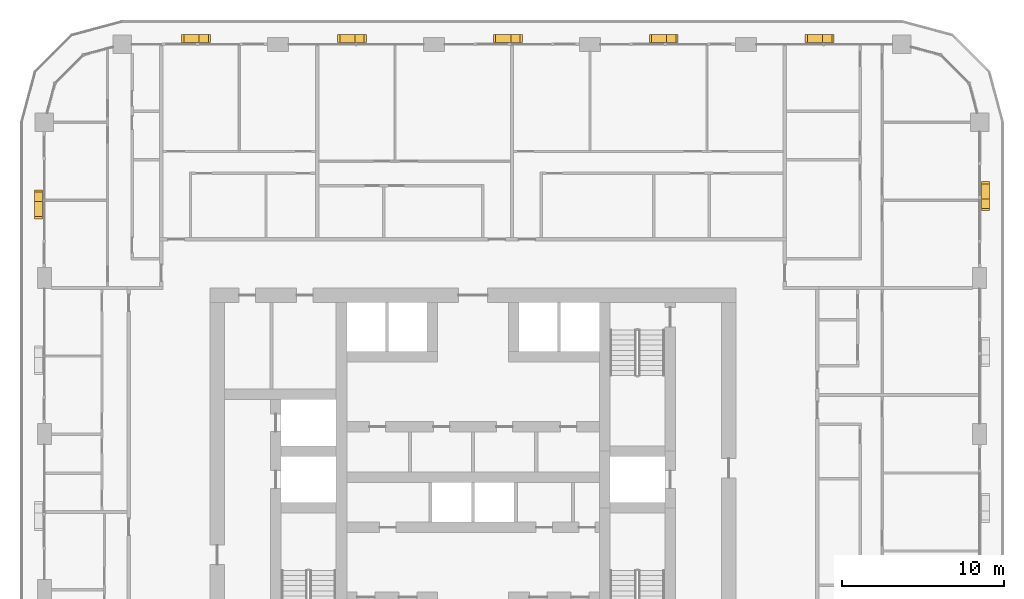
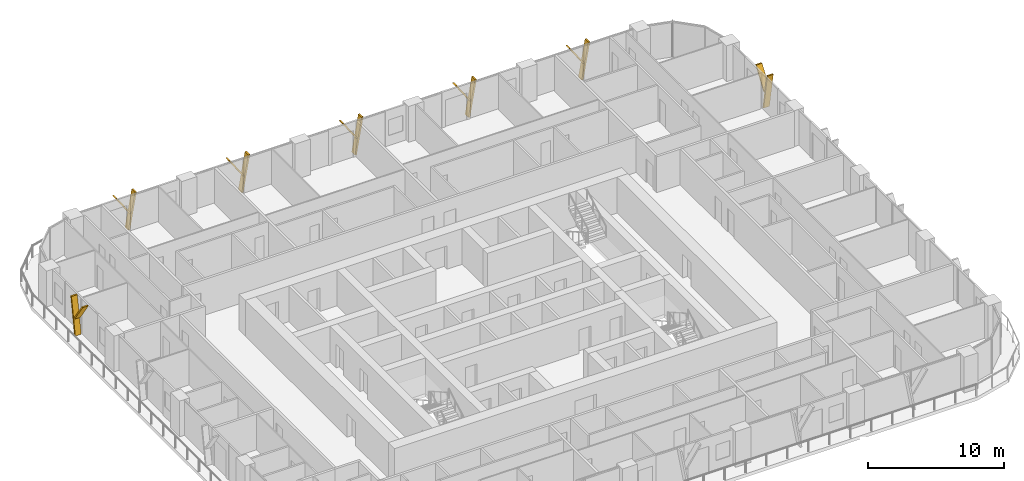
# One storey, part 22 of 22: 14 shading devices.
"""IFC4 building model written with IfcOpenShell, lengths in metres."""

from ifc_helpers import new_model, si_unit, direction, frame, origin, place, context, subcontext, project, spatial, polyline, outline, extrude, material, type_object, element, save


model = new_model("IFC4")

# Units and contexts
model_context = context("Model", 3, precision=1e-05, world=origin(), true_north=direction((0.0, 1.0)))
body_context = subcontext(model_context, "Body", "Model", "MODEL_VIEW")
ifc_project = project(units=[si_unit("LENGTHUNIT", "METRE"), si_unit("AREAUNIT", "SQUARE_METRE"), si_unit("VOLUMEUNIT", "CUBIC_METRE"), si_unit("PLANEANGLEUNIT", "RADIAN"), si_unit("MASSUNIT", "GRAM", prefix="KILO")], contexts=[model_context])

# Site, building, storey
site_placement = place(None, origin())
site = spatial("IfcSite", under=ifc_project, at=site_placement, CompositionType="ELEMENT")
building_placement = place(site_placement, origin())
building = spatial("IfcBuilding", under=site, at=building_placement, Name="Madar Terraces", CompositionType="ELEMENT")
storey_placement = place(building_placement, frame((0.0, 0.0, 103.199951171875)))
storey = spatial("IfcBuildingStorey", under=building, at=storey_placement, Name="L26", CompositionType="ELEMENT", Elevation=103.199951171875)

# Shading devices
ifc_material = material(Name="Aluminium, black anodised", Category="aluminium")
shading_device_type = type_object("IfcShadingDeviceType", Name="Facade fin blade 140 x 500", PredefinedType="USERDEFINED", material=ifc_material)
shading_device_1_placement = place(storey_placement, frame((62.75, 43.1298828125, 0.0), z_axis=(0.0, 0.0, 1.0), x_axis=(0.0, 1.0, 0.0)))
element("IfcShadingDevice", 1, at=shading_device_1_placement, inside=storey, type_object=shading_device_type, Name="FIN L26 E4", ObjectType="FIN", PredefinedType="USERDEFINED", context=body_context, shape_type="SweptSolid", body=[
    extrude(outline(polyline([(0.0, 0.0), (0.14013671875, 0.0), (-0.42431640625, 3.199951171875), (-0.564208984375, 3.199951171875), (0.0, 0.0)])), frame((0.0, 0.25, 0.0), z_axis=(0.0, -1.0, 0.0), x_axis=(1.0, 0.0, 0.0)), (0.0, 0.0, 1.0), 0.5),
])
shading_device_2_placement = place(storey_placement, frame((62.75, 43.01611328125, 1.43994140625), z_axis=(0.0, 0.0, 1.0), x_axis=(0.0, 1.0, 0.0)))
element("IfcShadingDevice", 2, at=shading_device_2_placement, inside=storey, type_object=shading_device_type, Name="FIN L26 E4 branch", ObjectType="FIN", PredefinedType="USERDEFINED", context=body_context, shape_type="SweptSolid", body=[
    extrude(outline(polyline([(0.0, 0.0), (0.139892578125, 0.0), (1.32958984375, 1.760009765625), (1.189697265625, 1.760009765625), (0.0, 0.0)])), frame((0.0, 0.25, 0.0), z_axis=(0.0, -1.0, 0.0), x_axis=(1.0, 0.0, 0.0)), (0.0, 0.0, 1.0), 0.5),
])
shading_device_3_placement = place(storey_placement, frame((52.8701171875, 53.14990234375, 0.0), z_axis=(0.0, 0.0, 1.0), x_axis=(-1.0, 0.0, 0.0)))
element("IfcShadingDevice", 3, at=shading_device_3_placement, inside=storey, type_object=shading_device_type, Name="FIN L26 N1", ObjectType="FIN", PredefinedType="USERDEFINED", context=body_context, shape_type="SweptSolid", body=[
    extrude(outline(polyline([(0.0, 0.0), (0.14013671875, 0.0), (-0.42431640625, 3.199951171875), (-0.564208984375, 3.199951171875), (0.0, 0.0)])), frame((0.0, 0.25, 0.0), z_axis=(0.0, -1.0, 0.0), x_axis=(1.0, 0.0, 0.0)), (0.0, 0.0, 1.0), 0.5),
])
shading_device_4_placement = place(storey_placement, frame((52.98388671875, 53.14990234375, 1.43994140625), z_axis=(0.0, 0.0, 1.0), x_axis=(-1.0, 0.0, 0.0)))
element("IfcShadingDevice", 4, at=shading_device_4_placement, inside=storey, type_object=shading_device_type, Name="FIN L26 N1 branch", ObjectType="FIN", PredefinedType="USERDEFINED", context=body_context, shape_type="SweptSolid", body=[
    extrude(outline(polyline([(0.0, 0.0), (0.139892578125, 0.0), (1.32958984375, 1.760009765625), (1.189697265625, 1.760009765625), (0.0, 0.0)])), frame((0.0, 0.25, 0.0), z_axis=(0.0, -1.0, 0.0), x_axis=(1.0, 0.0, 0.0)), (0.0, 0.0, 1.0), 0.5),
])
shading_device_5_placement = place(storey_placement, frame((43.27001953125, 53.14990234375, 0.0), z_axis=(0.0, 0.0, 1.0), x_axis=(-1.0, 0.0, 0.0)))
element("IfcShadingDevice", 5, at=shading_device_5_placement, inside=storey, type_object=shading_device_type, Name="FIN L26 N2", ObjectType="FIN", PredefinedType="USERDEFINED", context=body_context, shape_type="SweptSolid", body=[
    extrude(outline(polyline([(0.0, 0.0), (0.14013671875, 0.0), (-0.42431640625, 3.199951171875), (-0.564208984375, 3.199951171875), (0.0, 0.0)])), frame((0.0, 0.25, 0.0), z_axis=(0.0, -1.0, 0.0), x_axis=(1.0, 0.0, 0.0)), (0.0, 0.0, 1.0), 0.5),
])
shading_device_6_placement = place(storey_placement, frame((43.3837890625, 53.14990234375, 1.43994140625), z_axis=(0.0, 0.0, 1.0), x_axis=(-1.0, 0.0, 0.0)))
element("IfcShadingDevice", 6, at=shading_device_6_placement, inside=storey, type_object=shading_device_type, Name="FIN L26 N2 branch", ObjectType="FIN", PredefinedType="USERDEFINED", context=body_context, shape_type="SweptSolid", body=[
    extrude(outline(polyline([(0.0, 0.0), (0.139892578125, 0.0), (1.32958984375, 1.760009765625), (1.189697265625, 1.760009765625), (0.0, 0.0)])), frame((0.0, 0.25, 0.0), z_axis=(0.0, -1.0, 0.0), x_axis=(1.0, 0.0, 0.0)), (0.0, 0.0, 1.0), 0.5),
])
shading_device_7_placement = place(storey_placement, frame((33.669921875, 53.14990234375, 0.0), z_axis=(0.0, 0.0, 1.0), x_axis=(-1.0, 0.0, 0.0)))
element("IfcShadingDevice", 7, at=shading_device_7_placement, inside=storey, type_object=shading_device_type, Name="FIN L26 N3", ObjectType="FIN", PredefinedType="USERDEFINED", context=body_context, shape_type="SweptSolid", body=[
    extrude(outline(polyline([(0.0, 0.0), (0.139892578125, 0.0), (-0.42431640625, 3.199951171875), (-0.564208984375, 3.199951171875), (0.0, 0.0)])), frame((0.0, 0.25, 0.0), z_axis=(0.0, -1.0, 0.0), x_axis=(1.0, 0.0, 0.0)), (0.0, 0.0, 1.0), 0.5),
])
shading_device_8_placement = place(storey_placement, frame((33.783935546875, 53.14990234375, 1.43994140625), z_axis=(0.0, 0.0, 1.0), x_axis=(-1.0, 0.0, 0.0)))
element("IfcShadingDevice", 8, at=shading_device_8_placement, inside=storey, type_object=shading_device_type, Name="FIN L26 N3 branch", ObjectType="FIN", PredefinedType="USERDEFINED", context=body_context, shape_type="SweptSolid", body=[
    extrude(outline(polyline([(0.0, 0.0), (0.14013671875, 0.0), (1.32958984375, 1.760009765625), (1.189697265625, 1.760009765625), (0.0, 0.0)])), frame((0.0, 0.25, 0.0), z_axis=(0.0, -1.0, 0.0), x_axis=(1.0, 0.0, 0.0)), (0.0, 0.0, 1.0), 0.5),
])
shading_device_9_placement = place(storey_placement, frame((24.070068359375, 53.14990234375, 0.0), z_axis=(0.0, 0.0, 1.0), x_axis=(-1.0, 0.0, 0.0)))
element("IfcShadingDevice", 9, at=shading_device_9_placement, inside=storey, type_object=shading_device_type, Name="FIN L26 N4", ObjectType="FIN", PredefinedType="USERDEFINED", context=body_context, shape_type="SweptSolid", body=[
    extrude(outline(polyline([(0.0, 0.0), (0.14013671875, 0.0), (-0.42431640625, 3.199951171875), (-0.564208984375, 3.199951171875), (0.0, 0.0)])), frame((0.0, 0.25, 0.0), z_axis=(0.0, -1.0, 0.0), x_axis=(1.0, 0.0, 0.0)), (0.0, 0.0, 1.0), 0.5),
])
shading_device_10_placement = place(storey_placement, frame((24.183837890625, 53.14990234375, 1.43994140625), z_axis=(0.0, 0.0, 1.0), x_axis=(-1.0, 0.0, 0.0)))
element("IfcShadingDevice", 10, at=shading_device_10_placement, inside=storey, type_object=shading_device_type, Name="FIN L26 N4 branch", ObjectType="FIN", PredefinedType="USERDEFINED", context=body_context, shape_type="SweptSolid", body=[
    extrude(outline(polyline([(0.0, 0.0), (0.139892578125, 0.0), (1.32958984375, 1.760009765625), (1.189697265625, 1.760009765625), (0.0, 0.0)])), frame((0.0, 0.25, 0.0), z_axis=(0.0, -1.0, 0.0), x_axis=(1.0, 0.0, 0.0)), (0.0, 0.0, 1.0), 0.5),
])
shading_device_11_placement = place(storey_placement, frame((14.469970703125, 53.14990234375, 0.0), z_axis=(0.0, 0.0, 1.0), x_axis=(-1.0, 0.0, 0.0)))
element("IfcShadingDevice", 11, at=shading_device_11_placement, inside=storey, type_object=shading_device_type, Name="FIN L26 N5", ObjectType="FIN", PredefinedType="USERDEFINED", context=body_context, shape_type="SweptSolid", body=[
    extrude(outline(polyline([(0.0, 0.0), (0.139892578125, 0.0), (-0.42431640625, 3.199951171875), (-0.564208984375, 3.199951171875), (0.0, 0.0)])), frame((0.0, 0.25, 0.0), z_axis=(0.0, -1.0, 0.0), x_axis=(1.0, 0.0, 0.0)), (0.0, 0.0, 1.0), 0.5),
])
shading_device_12_placement = place(storey_placement, frame((14.583984375, 53.14990234375, 1.43994140625), z_axis=(0.0, 0.0, 1.0), x_axis=(-1.0, 0.0, 0.0)))
element("IfcShadingDevice", 12, at=shading_device_12_placement, inside=storey, type_object=shading_device_type, Name="FIN L26 N5 branch", ObjectType="FIN", PredefinedType="USERDEFINED", context=body_context, shape_type="SweptSolid", body=[
    extrude(outline(polyline([(0.0, 0.0), (0.14013671875, 0.0), (1.32958984375, 1.760009765625), (1.189697265625, 1.760009765625), (0.0, 0.0)])), frame((0.0, 0.25, 0.0), z_axis=(0.0, -1.0, 0.0), x_axis=(1.0, 0.0, 0.0)), (0.0, 0.0, 1.0), 0.5),
])
shading_device_13_placement = place(storey_placement, frame((4.449951171875, 43.27001953125, 0.0), z_axis=(0.0, 0.0, 1.0), x_axis=(0.0, -1.0, 0.0)))
element("IfcShadingDevice", 13, at=shading_device_13_placement, inside=storey, type_object=shading_device_type, Name="FIN L26 W1", ObjectType="FIN", PredefinedType="USERDEFINED", context=body_context, shape_type="SweptSolid", body=[
    extrude(outline(polyline([(0.0, 0.0), (0.14013671875, 0.0), (-0.42431640625, 3.199951171875), (-0.564208984375, 3.199951171875), (0.0, 0.0)])), frame((0.0, 0.25, 0.0), z_axis=(0.0, -1.0, 0.0), x_axis=(1.0, 0.0, 0.0)), (0.0, 0.0, 1.0), 0.5),
])
shading_device_14_placement = place(storey_placement, frame((4.449951171875, 43.3837890625, 1.43994140625), z_axis=(0.0, 0.0, 1.0), x_axis=(0.0, -1.0, 0.0)))
element("IfcShadingDevice", 14, at=shading_device_14_placement, inside=storey, type_object=shading_device_type, Name="FIN L26 W1 branch", ObjectType="FIN", PredefinedType="USERDEFINED", context=body_context, shape_type="SweptSolid", body=[
    extrude(outline(polyline([(0.0, 0.0), (0.139892578125, 0.0), (1.32958984375, 1.760009765625), (1.189697265625, 1.760009765625), (0.0, 0.0)])), frame((0.0, 0.25, 0.0), z_axis=(0.0, -1.0, 0.0), x_axis=(1.0, 0.0, 0.0)), (0.0, 0.0, 1.0), 0.5),
])

save(model, "model.ifc")
